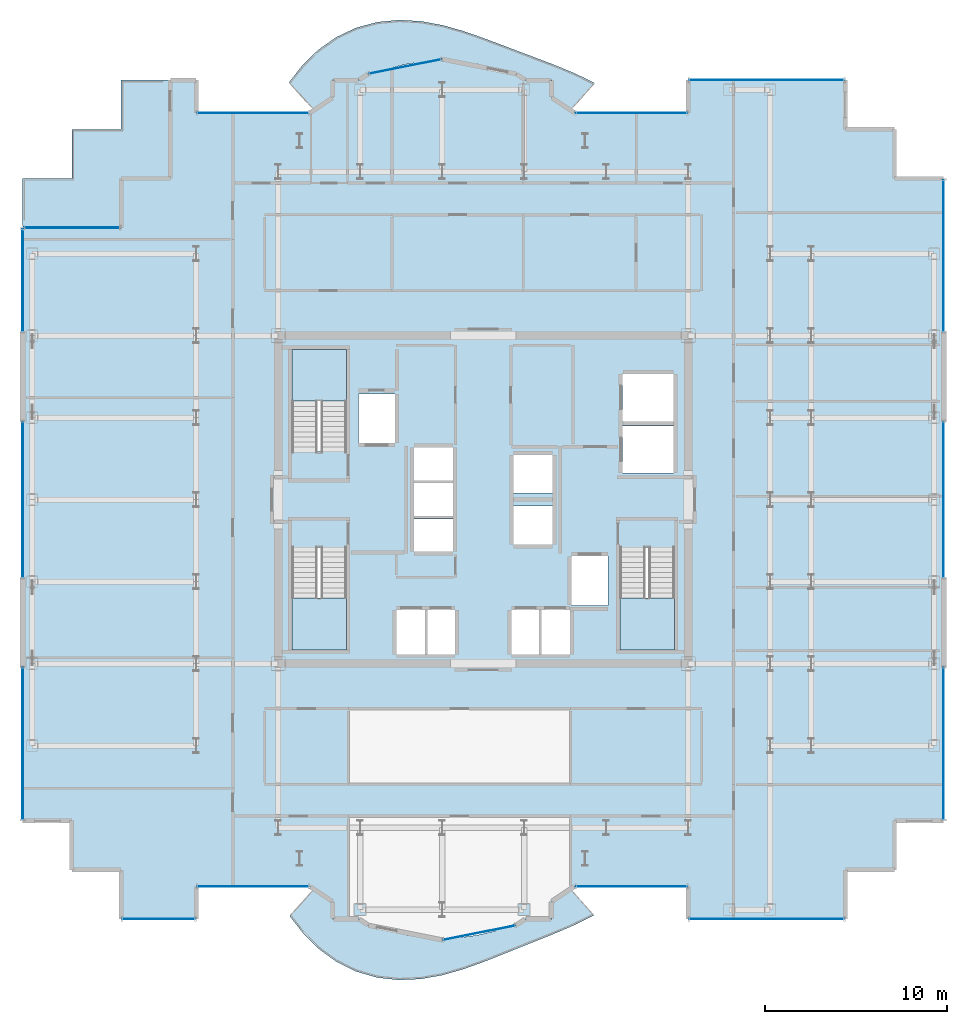
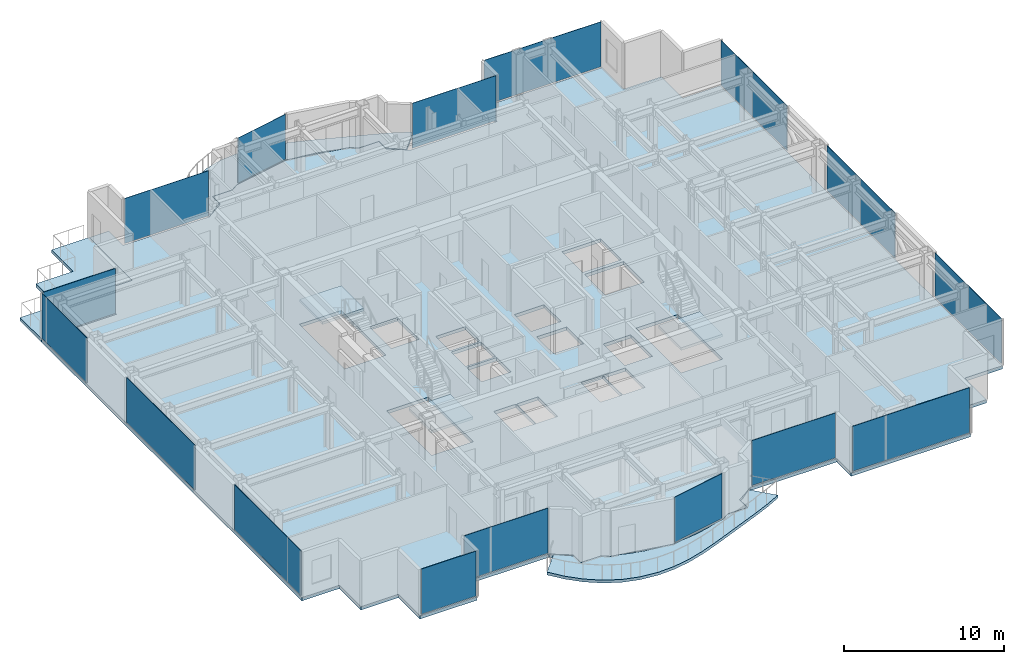
# One storey, part 14 of 22: 16 plates, 7 slabs, 19 elements without a shape of their own.
"""IFC4 building model written with IfcOpenShell, lengths in metres."""

from ifc_helpers import new_model, si_unit, direction, frame, origin, origin_2d, place, context, subcontext, project, spatial, polyline, rectangle, outline, extrude, source, transform, mapped, material, layer, layer_set, type_object, element, aggregate, save


model = new_model("IFC4")

# Units and contexts
model_context = context("Model", 3, precision=1e-05, world=origin(), true_north=direction((0.0, 1.0)))
body_context = subcontext(model_context, "Body", "Model", "MODEL_VIEW")
ifc_project = project(units=[si_unit("LENGTHUNIT", "METRE"), si_unit("AREAUNIT", "SQUARE_METRE"), si_unit("VOLUMEUNIT", "CUBIC_METRE"), si_unit("PLANEANGLEUNIT", "RADIAN"), si_unit("MASSUNIT", "GRAM", prefix="KILO")], contexts=[model_context])

# Site, building, storey
site_placement = place(None, origin())
site = spatial("IfcSite", under=ifc_project, at=site_placement, CompositionType="ELEMENT")
building_placement = place(site_placement, origin())
building = spatial("IfcBuilding", under=site, at=building_placement, Name="Nefas-Gora Pilgrimage Tower", CompositionType="ELEMENT")
storey_placement = place(building_placement, frame((0.0, 0.0, 240.800048828125)))
storey = spatial("IfcBuildingStorey", under=building, at=storey_placement, Name="L60", CompositionType="ELEMENT", Elevation=240.800048828125)

# Slabs
ifc_material_1 = material(Name="Concrete C40/50", Category="concrete")
ifc_layer_1 = layer(ifc_material_1, 0.219970703125)
ifc_layer_set_1 = layer_set([ifc_layer_1], Name="Concrete C40/50")
slab_type_1 = type_object("IfcSlabType", Name="SLB-BAL-P0", PredefinedType="FLOOR", material=ifc_layer_set_1)
slab_1_placement = place(storey_placement, frame((0.0, 0.0, -0.219970703125)))
element("IfcSlab", 1, at=slab_1_placement, inside=storey, type_object=slab_type_1, Name="L60 Sinusoidal Lobe Balcony Slab S (Phase 0)", PredefinedType="FLOOR", context=body_context, shape_type="SweptSolid", body=[
    extrude(outline(polyline([(4.78759765625, -21.385986328125), (4.724609375, -21.427978515625), (4.038330078125, -21.9912109375), (3.760009765625, -22.179931640625), (3.760009765625, -23.02001953125), (3.760009765625, -23.02099609375), (3.759765625, -23.02197265625), (3.759521484375, -23.02294921875), (3.75927734375, -23.023681640625), (3.7587890625, -23.024658203125), (3.75830078125, -23.025634765625), (3.7578125, -23.0263671875), (3.757080078125, -23.027099609375), (3.75634765625, -23.027587890625), (3.755615234375, -23.0283203125), (3.754638671875, -23.02880859375), (3.75390625, -23.029296875), (3.7529296875, -23.029541015625), (3.751953125, -23.02978515625), (3.7509765625, -23.030029296875), (3.75, -23.030029296875), (2.3271484375, -23.030029296875), (1.81298828125, -23.37353515625), (1.81201171875, -23.3740234375), (1.811279296875, -23.37451171875), (1.810302734375, -23.375), (1.809326171875, -23.375), (1.13037109375, -23.51025390625), (0.602783203125, -23.685302734375), (-0.334716796875, -23.904052734375), (-1.288330078125, -24.035888671875), (-1.580078125, -24.04931640625), (-2.248046875, -24.18212890625), (-2.2490234375, -24.182373046875), (-2.25, -24.182373046875), (-2.2509765625, -24.182373046875), (-2.251953125, -24.18212890625), (-2.919921875, -24.04931640625), (-3.211669921875, -24.035888671875), (-4.165283203125, -23.904052734375), (-5.102783203125, -23.685302734375), (-5.63037109375, -23.51025390625), (-6.309326171875, -23.375), (-6.310302734375, -23.375), (-6.311279296875, -23.37451171875), (-6.31201171875, -23.3740234375), (-6.31298828125, -23.37353515625), (-6.8271484375, -23.030029296875), (-8.25, -23.030029296875), (-8.2509765625, -23.030029296875), (-8.251953125, -23.02978515625), (-8.2529296875, -23.029541015625), (-8.25390625, -23.029296875), (-8.254638671875, -23.02880859375), (-8.255615234375, -23.0283203125), (-8.25634765625, -23.027587890625), (-8.257080078125, -23.027099609375), (-8.2578125, -23.0263671875), (-8.25830078125, -23.025634765625), (-8.2587890625, -23.024658203125), (-8.25927734375, -23.023681640625), (-8.259521484375, -23.02294921875), (-8.259765625, -23.02197265625), (-8.260009765625, -23.02099609375), (-8.260009765625, -23.02001953125), (-8.260009765625, -22.179931640625), (-8.538330078125, -21.9912109375), (-9.224609375, -21.427978515625), (-9.28759765625, -21.385986328125), (-10.614013671875, -22.859375), (-9.88720703125, -23.797607421875), (-9.037109375, -24.6455078125), (-8.062744140625, -25.357177734375), (-6.98046875, -25.89306640625), (-5.8203125, -26.2294921875), (-4.620849609375, -26.3623046875), (-3.42041015625, -26.3076171875), (-2.25, -26.09912109375), (-1.1279296875, -25.78125), (-0.0576171875, -25.39990234375), (0.971923828125, -24.993896484375), (1.979248046875, -24.58740234375), (2.985107421875, -24.18603515625), (4.00439453125, -23.7763671875), (5.039306640625, -23.331298828125), (6.0751953125, -22.816162109375), (4.78759765625, -21.385986328125)])), origin(), (0.0, 0.0, 1.0), 0.219970703125),
])
ifc_layer_2 = layer(ifc_material_1, 0.22509765625)
ifc_layer_set_2 = layer_set([ifc_layer_2], Name="Concrete C40/50")
slab_type_2 = type_object("IfcSlabType", Name="SLB-BAL-P4", PredefinedType="FLOOR", material=ifc_layer_set_2)
slab_2_placement = place(storey_placement, frame((0.0, 0.0, -0.22509765625)))
element("IfcSlab", 2, at=slab_2_placement, inside=storey, type_object=slab_type_2, Name="L60 Sinusoidal Lobe Balcony Slab N (Phase 4)", PredefinedType="FLOOR", context=body_context, shape_type="SweptSolid", body=[
    extrude(outline(polyline([(-9.28759765625, 21.385986328125), (-9.224609375, 21.427978515625), (-8.538330078125, 21.9912109375), (-8.260009765625, 22.179931640625), (-8.260009765625, 23.02001953125), (-8.260009765625, 23.02099609375), (-8.259765625, 23.02197265625), (-8.259521484375, 23.02294921875), (-8.25927734375, 23.023681640625), (-8.2587890625, 23.024658203125), (-8.25830078125, 23.025634765625), (-8.2578125, 23.0263671875), (-8.257080078125, 23.027099609375), (-8.25634765625, 23.027587890625), (-8.255615234375, 23.0283203125), (-8.254638671875, 23.02880859375), (-8.25390625, 23.029296875), (-8.2529296875, 23.029541015625), (-8.251953125, 23.02978515625), (-8.2509765625, 23.030029296875), (-8.25, 23.030029296875), (-6.8271484375, 23.030029296875), (-6.31298828125, 23.37353515625), (-6.31201171875, 23.3740234375), (-6.311279296875, 23.37451171875), (-6.310302734375, 23.375), (-6.309326171875, 23.375), (-5.63037109375, 23.51025390625), (-5.102783203125, 23.685302734375), (-4.165283203125, 23.904052734375), (-3.211669921875, 24.035888671875), (-2.919921875, 24.04931640625), (-2.251953125, 24.18212890625), (-2.2509765625, 24.182373046875), (-2.25, 24.182373046875), (-2.2490234375, 24.182373046875), (-2.248046875, 24.18212890625), (-1.580078125, 24.04931640625), (-1.288330078125, 24.035888671875), (-0.334716796875, 23.904052734375), (0.602783203125, 23.685302734375), (1.13037109375, 23.51025390625), (1.809326171875, 23.375), (1.810302734375, 23.375), (1.811279296875, 23.37451171875), (1.81201171875, 23.3740234375), (1.81298828125, 23.37353515625), (2.3271484375, 23.030029296875), (3.75, 23.030029296875), (3.7509765625, 23.030029296875), (3.751953125, 23.02978515625), (3.7529296875, 23.029541015625), (3.75390625, 23.029296875), (3.754638671875, 23.02880859375), (3.755615234375, 23.0283203125), (3.75634765625, 23.027587890625), (3.757080078125, 23.027099609375), (3.7578125, 23.0263671875), (3.75830078125, 23.025634765625), (3.7587890625, 23.024658203125), (3.75927734375, 23.023681640625), (3.759521484375, 23.02294921875), (3.759765625, 23.02197265625), (3.760009765625, 23.02099609375), (3.760009765625, 23.02001953125), (3.760009765625, 22.179931640625), (4.038330078125, 21.9912109375), (4.724609375, 21.427978515625), (4.78759765625, 21.385986328125), (6.114013671875, 22.859375), (5.07080078125, 23.373779296875), (4.025390625, 23.810302734375), (2.994384765625, 24.20458984375), (1.978759765625, 24.58642578125), (0.965576171875, 24.9716796875), (-0.06494140625, 25.359130859375), (-1.1328125, 25.7275390625), (-2.25, 26.041015625), (-3.41552734375, 26.25390625), (-4.61328125, 26.321533203125), (-5.814208984375, 26.20751953125), (-6.97998046875, 25.89208984375), (-8.072021484375, 25.375732421875), (-9.05810546875, 24.6796875), (-9.9189453125, 23.840087890625), (-10.653076171875, 22.902587890625), (-9.28759765625, 21.385986328125)])), origin(), (0.0, 0.0, 1.0), 0.22509765625),
])
ifc_layer_3 = layer(ifc_material_1, 0.239990234375)
ifc_layer_set_3 = layer_set([ifc_layer_3], Name="Concrete C40/50")
slab_type_3 = type_object("IfcSlabType", Name="SLB-TER-SP-NW", PredefinedType="FLOOR", material=ifc_layer_set_3)
slab_3_placement = place(storey_placement, frame((0.0, 0.0, -0.239990234375)))
element("IfcSlab", 3, at=slab_3_placement, inside=storey, type_object=slab_type_3, Name="L60 Outdoor Sky Terrace Slab TER-SP-NW", PredefinedType="FLOOR", context=body_context, shape_type="SweptSolid", body=[
    extrude(outline(polyline([(-25.27001953125, 14.919921875), (-19.8701171875, 14.919921875), (-19.8701171875, 17.6201171875), (-17.169921875, 17.6201171875), (-17.169921875, 23.02001953125), (-19.8701171875, 23.02001953125), (-19.8701171875, 20.320068359375), (-22.570068359375, 20.320068359375), (-22.570068359375, 17.6201171875), (-25.27001953125, 17.6201171875), (-25.27001953125, 14.919921875)])), origin(), (0.0, 0.0, 1.0), 0.239990234375),
])
ifc_layer_4 = layer(ifc_material_1, 0.25)
ifc_layer_set_4 = layer_set([ifc_layer_4], Name="Concrete C40/50")
slab_type_4 = type_object("IfcSlabType", Name="SLB-TWR-260", PredefinedType="FLOOR", material=ifc_layer_set_4)
slab_4_placement = place(storey_placement, frame((0.0, 0.0, -0.25)))
element("IfcSlab", 4, at=slab_4_placement, inside=storey, type_object=slab_type_4, Name="L60 Structural Floor Slab", PredefinedType="FLOOR", context=body_context, shape_type="SweptSolid", body=[
    extrude(outline(polyline([(5.01806640625, -21.219970703125), (11.25, -21.219970703125), (11.25, -23.02001953125), (19.8701171875, -23.02001953125), (19.8701171875, -20.320068359375), (22.570068359375, -20.320068359375), (22.570068359375, -17.6201171875), (25.27001953125, -17.6201171875), (25.27001953125, 17.6201171875), (22.570068359375, 17.6201171875), (22.570068359375, 20.320068359375), (19.8701171875, 20.320068359375), (19.8701171875, 23.02001953125), (11.25, 23.02001953125), (11.25, 21.219970703125), (5.01806640625, 21.219970703125), (3.75, 22.0673828125), (3.75, 23.02001953125), (2.32421875, 23.02001953125), (1.807373046875, 23.365234375), (-2.25, 24.17236328125), (-6.307373046875, 23.365234375), (-6.82421875, 23.02001953125), (-8.25, 23.02001953125), (-8.25, 22.0673828125), (-9.51806640625, 21.219970703125), (-15.75, 21.219970703125), (-15.75, 23.02001953125), (-17.169921875, 23.02001953125), (-17.169921875, 17.6201171875), (-19.8701171875, 17.6201171875), (-19.8701171875, 14.919921875), (-25.27001953125, 14.919921875), (-25.27001953125, -17.6201171875), (-22.570068359375, -17.6201171875), (-22.570068359375, -20.320068359375), (-19.8701171875, -20.320068359375), (-19.8701171875, -23.02001953125), (-15.75, -23.02001953125), (-15.75, -21.219970703125), (-9.51806640625, -21.219970703125), (-8.25, -22.0673828125), (-8.25, -23.02001953125), (-6.82421875, -23.02001953125), (-6.307373046875, -23.365234375), (-2.25, -24.17236328125), (1.807373046875, -23.365234375), (2.32421875, -23.02001953125), (3.75, -23.02001953125), (3.75, -22.0673828125), (5.01806640625, -21.219970703125)]), holes=[polyline([(-10.5, 2.639892578125), (-10.5, 8.25), (-7.5, 8.25), (-7.5, 2.639892578125), (-10.5, 2.639892578125)]), polyline([(10.5, -2.639892578125), (10.5, -8.25), (7.5, -8.25), (7.5, -2.639892578125), (10.5, -2.639892578125)]), polyline([(-7.5, -2.639892578125), (-7.5, -8.25), (-10.5, -8.25), (-10.5, -2.639892578125), (-7.5, -2.639892578125)]), polyline([(-6.85009765625, 5.800048828125), (-4.85009765625, 5.800048828125), (-4.85009765625, 3.10009765625), (-6.85009765625, 3.10009765625), (-6.85009765625, 5.800048828125)]), polyline([(4.85009765625, -3.10009765625), (6.85009765625, -3.10009765625), (6.85009765625, -5.800048828125), (4.85009765625, -5.800048828125), (4.85009765625, -3.10009765625)]), polyline([(7.64990234375, 4.050048828125), (10.449951171875, 4.050048828125), (10.449951171875, 1.449951171875), (7.64990234375, 1.449951171875), (7.64990234375, 4.050048828125)]), polyline([(7.64990234375, 6.89990234375), (10.449951171875, 6.89990234375), (10.449951171875, 4.300048828125), (7.64990234375, 4.300048828125), (7.64990234375, 6.89990234375)]), polyline([(-4.75, -6.050048828125), (-3.14990234375, -6.050048828125), (-3.14990234375, -8.5), (-4.75, -8.5), (-4.75, -6.050048828125)]), polyline([(-3.10009765625, -6.050048828125), (-1.550048828125, -6.050048828125), (-1.550048828125, -8.5), (-3.10009765625, -8.5), (-3.10009765625, -6.050048828125)]), polyline([(1.550048828125, -6.050048828125), (3.10009765625, -6.050048828125), (3.10009765625, -8.5), (1.550048828125, -8.5), (1.550048828125, -6.050048828125)]), polyline([(3.14990234375, -6.050048828125), (4.75, -6.050048828125), (4.75, -8.5), (3.14990234375, -8.5), (3.14990234375, -6.050048828125)]), polyline([(-3.800048828125, -1.050048828125), (-1.64990234375, -1.050048828125), (-1.64990234375, -2.85009765625), (-3.800048828125, -2.85009765625), (-3.800048828125, -1.050048828125)]), polyline([(-3.800048828125, 0.89990234375), (-1.64990234375, 0.89990234375), (-1.64990234375, -0.89990234375), (-3.800048828125, -0.89990234375), (-3.800048828125, 0.89990234375)]), polyline([(-3.800048828125, 2.85009765625), (-1.64990234375, 2.85009765625), (-1.64990234375, 1.050048828125), (-3.800048828125, 1.050048828125), (-3.800048828125, 2.85009765625)]), polyline([(1.64990234375, -0.35009765625), (3.800048828125, -0.35009765625), (3.800048828125, -2.449951171875), (1.64990234375, -2.449951171875), (1.64990234375, -0.35009765625)]), polyline([(1.64990234375, 2.449951171875), (3.800048828125, 2.449951171875), (3.800048828125, 0.35009765625), (1.64990234375, 0.35009765625), (1.64990234375, 2.449951171875)])]), origin(), (0.0, 0.0, 1.0), 0.25),
])

# Stair, slab
ifc_material_2 = material(Name="Concrete C45/55", Category="concrete")
stair_type = type_object("IfcStairType", Name="STR-1400-R1727", PredefinedType="HALF_TURN_STAIR", material=ifc_material_2)
stair_1_placement = place(storey_placement, origin())
stair_1 = element("IfcStair", 5, at=stair_1_placement, inside=storey, type_object=stair_type, Name="L60 Pressurised Tower Exit Stair ST-01", PredefinedType="HALF_TURN_STAIR")
ifc_layer_5 = layer(ifc_material_1, 0.199951171875)
ifc_layer_set_5 = layer_set([ifc_layer_5], Name="Concrete C40/50")
slab_type_5 = type_object("IfcSlabType", Name="STR-LAND-200", PredefinedType="LANDING", material=ifc_layer_set_5)
slab_5_placement = place(storey_placement, frame((0.0, 0.0, 1.699951171875)))
slab_5 = element("IfcSlab", 6, at=slab_5_placement, type_object=slab_type_5, Name="ST-01 landing 1", PredefinedType="LANDING", context=body_context, shape_type="SweptSolid", body=[
    extrude(outline(polyline([(-7.5, 5.39990234375), (-7.5, 8.25), (-10.5, 8.25), (-10.5, 5.39990234375), (-7.5, 5.39990234375)])), origin(), (0.0, 0.0, 1.0), 0.199951171875),
])
aggregate(stair_1, [slab_5])

stair_2_placement = place(storey_placement, origin())
stair_2 = element("IfcStair", 7, at=stair_2_placement, inside=storey, type_object=stair_type, Name="L60 Pressurised Tower Exit Stair ST-02", PredefinedType="HALF_TURN_STAIR")
slab_6_placement = place(storey_placement, frame((0.0, 0.0, 1.699951171875)))
slab_6 = element("IfcSlab", 8, at=slab_6_placement, type_object=slab_type_5, Name="ST-02 landing 1", PredefinedType="LANDING", context=body_context, shape_type="SweptSolid", body=[
    extrude(outline(polyline([(7.5, -5.39990234375), (7.5, -8.25), (10.5, -8.25), (10.5, -5.39990234375), (7.5, -5.39990234375)])), origin(), (0.0, 0.0, 1.0), 0.199951171875),
])
aggregate(stair_2, [slab_6])

stair_3_placement = place(storey_placement, origin())
stair_3 = element("IfcStair", 9, at=stair_3_placement, inside=storey, type_object=stair_type, Name="L60 Pressurised Tower Exit Stair ST-03", PredefinedType="HALF_TURN_STAIR")
slab_7_placement = place(storey_placement, frame((0.0, 0.0, 1.699951171875)))
slab_7 = element("IfcSlab", 10, at=slab_7_placement, type_object=slab_type_5, Name="ST-03 landing 1", PredefinedType="LANDING", context=body_context, shape_type="SweptSolid", body=[
    extrude(outline(polyline([(-10.5, -5.39990234375), (-10.5, -8.25), (-7.5, -8.25), (-7.5, -5.39990234375), (-10.5, -5.39990234375)])), origin(), (0.0, 0.0, 1.0), 0.199951171875),
])
aggregate(stair_3, [slab_7])

# Curtain wall, plate
ifc_material_3 = material(Name="Dark ceramic-fritted solar-control aluminium-glass curtain wall", Category="aluminium")
ifc_layer_6 = layer(ifc_material_3, 0.219970703125)
ifc_layer_set_6 = layer_set([ifc_layer_6], Name="Dark ceramic-fritted solar-control aluminium-glass curtain wall")
curtain_wall_type_1 = type_object("IfcCurtainWallType", Name="CW-SYS-5", PredefinedType="NOTDEFINED", material=ifc_layer_set_6)
curtain_wall_1_placement = place(storey_placement, origin())
curtain_wall_1 = element("IfcCurtainWall", 11, at=curtain_wall_1_placement, inside=storey, type_object=curtain_wall_type_1, Name="L60 Unitised Curtain Wall CW5", PredefinedType="NOTDEFINED")
ifc_material_4 = material(Name="Dark ceramic-printed low-e insulated glass", Category="glass")
ifc_layer_7 = layer(ifc_material_4, 0.028076171875)
ifc_layer_set_7 = layer_set([ifc_layer_7], Name="Dark ceramic-printed low-e insulated glass")
plate_type_1 = type_object("IfcPlateType", Name="CWP-PNL-5", PredefinedType="CURTAIN_PANEL", material=ifc_layer_set_7)
shared_shape_1 = source(origin(), body_context, "Body", "SweptSolid", [
    extrude(rectangle(XDim=6.052001953125, YDim=0.028076171875, at=origin_2d()), origin(), (0.0, 0.0, 1.0), 3.43994140625),
])
plate_1_placement = place(storey_placement, frame((8.134033203125, -21.219970703125, 0.10009765625), z_axis=(0.0, 0.0, 1.0), x_axis=(1.0, 0.0, 0.0)))
plate_1 = element("IfcPlate", 12, at=plate_1_placement, type_object=plate_type_1, Name="CW5 Ceramic-Fritted Glazing Panel 1", PredefinedType="CURTAIN_PANEL", context=body_context, shape_type="MappedRepresentation", body=[
    mapped(shared_shape_1, transform((0.0, 0.0, 0.0), x_axis=(1.0, 0.0, 0.0), y_axis=(0.0, 1.0, 0.0), z_axis=(0.0, 0.0, 1.0), scale=1.0)),
])
aggregate(curtain_wall_1, [plate_1])

curtain_wall_2_placement = place(storey_placement, origin())
curtain_wall_2 = element("IfcCurtainWall", 13, at=curtain_wall_2_placement, inside=storey, type_object=curtain_wall_type_1, Name="L60 Unitised Curtain Wall CW5", PredefinedType="NOTDEFINED")
plate_2_placement = place(storey_placement, frame((8.134033203125, 21.219970703125, 0.10009765625), z_axis=(0.0, 0.0, 1.0), x_axis=(-1.0, 0.0, 0.0)))
plate_2 = element("IfcPlate", 14, at=plate_2_placement, type_object=plate_type_1, Name="CW5 Ceramic-Fritted Glazing Panel 1", PredefinedType="CURTAIN_PANEL", context=body_context, shape_type="MappedRepresentation", body=[
    mapped(shared_shape_1, transform((0.0, 0.0, 0.0), x_axis=(1.0, 0.0, 0.0), y_axis=(0.0, 1.0, 0.0), z_axis=(0.0, 0.0, 1.0), scale=1.0)),
])
aggregate(curtain_wall_2, [plate_2])

curtain_wall_3_placement = place(storey_placement, origin())
curtain_wall_3 = element("IfcCurtainWall", 15, at=curtain_wall_3_placement, inside=storey, type_object=curtain_wall_type_1, Name="L60 Unitised Curtain Wall CW5", PredefinedType="NOTDEFINED")
plate_3_placement = place(storey_placement, frame((-12.634033203125, 21.219970703125, 0.10009765625), z_axis=(0.0, 0.0, 1.0), x_axis=(-1.0, 0.0, 0.0)))
plate_3 = element("IfcPlate", 16, at=plate_3_placement, type_object=plate_type_1, Name="CW5 Ceramic-Fritted Glazing Panel 1", PredefinedType="CURTAIN_PANEL", context=body_context, shape_type="MappedRepresentation", body=[
    mapped(shared_shape_1, transform((0.0, 0.0, 0.0), x_axis=(1.0, 0.0, 0.0), y_axis=(0.0, 1.0, 0.0), z_axis=(0.0, 0.0, 1.0), scale=1.0)),
])
aggregate(curtain_wall_3, [plate_3])

curtain_wall_4_placement = place(storey_placement, origin())
curtain_wall_4 = element("IfcCurtainWall", 17, at=curtain_wall_4_placement, inside=storey, type_object=curtain_wall_type_1, Name="L60 Unitised Curtain Wall CW5", PredefinedType="NOTDEFINED")
plate_4_placement = place(storey_placement, frame((-12.634033203125, -21.219970703125, 0.10009765625), z_axis=(0.0, 0.0, 1.0), x_axis=(1.0, 0.0, 0.0)))
plate_4 = element("IfcPlate", 18, at=plate_4_placement, type_object=plate_type_1, Name="CW5 Ceramic-Fritted Glazing Panel 1", PredefinedType="CURTAIN_PANEL", context=body_context, shape_type="MappedRepresentation", body=[
    mapped(shared_shape_1, transform((0.0, 0.0, 0.0), x_axis=(1.0, 0.0, 0.0), y_axis=(0.0, 1.0, 0.0), z_axis=(0.0, 0.0, 1.0), scale=1.0)),
])
aggregate(curtain_wall_4, [plate_4])

curtain_wall_5_placement = place(storey_placement, origin())
curtain_wall_5 = element("IfcCurtainWall", 19, at=curtain_wall_5_placement, inside=storey, type_object=curtain_wall_type_1, Name="L60 Unitised Curtain Wall CW5", PredefinedType="NOTDEFINED")
shared_shape_2 = source(origin(), body_context, "Body", "SweptSolid", [
    extrude(rectangle(XDim=3.956787109375, YDim=0.028076171875, at=origin_2d()), origin(), (0.0, 0.0, 1.0), 3.43994140625),
])
plate_5_placement = place(storey_placement, frame((-4.278564453125, 23.768798828125, 0.10009765625), z_axis=(0.0, 0.0, 1.0), x_axis=(-0.980782896852, -0.195102304554, 0.0)))
plate_5 = element("IfcPlate", 20, at=plate_5_placement, type_object=plate_type_1, Name="CW5 Ceramic-Fritted Glazing Panel 1", PredefinedType="CURTAIN_PANEL", context=body_context, shape_type="MappedRepresentation", body=[
    mapped(shared_shape_2, transform((0.0, 0.0, 0.0), x_axis=(1.0, 0.0, 0.0), y_axis=(0.0, 1.0, 0.0), z_axis=(0.0, 0.0, 1.0), scale=1.0)),
])
aggregate(curtain_wall_5, [plate_5])

curtain_wall_6_placement = place(storey_placement, origin())
curtain_wall_6 = element("IfcCurtainWall", 21, at=curtain_wall_6_placement, inside=storey, type_object=curtain_wall_type_1, Name="L60 Unitised Curtain Wall CW5", PredefinedType="NOTDEFINED")
plate_6_placement = place(storey_placement, frame((-0.221435546875, -23.768798828125, 0.10009765625), z_axis=(0.0, 0.0, 1.0), x_axis=(0.980782896852, 0.195102304554, 0.0)))
plate_6 = element("IfcPlate", 22, at=plate_6_placement, type_object=plate_type_1, Name="CW5 Ceramic-Fritted Glazing Panel 1", PredefinedType="CURTAIN_PANEL", context=body_context, shape_type="MappedRepresentation", body=[
    mapped(shared_shape_2, transform((0.0, 0.0, 0.0), x_axis=(1.0, 0.0, 0.0), y_axis=(0.0, 1.0, 0.0), z_axis=(0.0, 0.0, 1.0), scale=1.0)),
])
aggregate(curtain_wall_6, [plate_6])

ifc_layer_8 = layer(ifc_material_3, 0.219970703125)
ifc_layer_set_8 = layer_set([ifc_layer_8], Name="Dark ceramic-fritted solar-control aluminium-glass curtain wall")
curtain_wall_type_2 = type_object("IfcCurtainWallType", Name="CW-SYS-3", PredefinedType="NOTDEFINED", material=ifc_layer_set_8)
curtain_wall_7_placement = place(storey_placement, origin())
curtain_wall_7 = element("IfcCurtainWall", 23, at=curtain_wall_7_placement, inside=storey, type_object=curtain_wall_type_2, Name="L60 Unitised Curtain Wall CW3", PredefinedType="NOTDEFINED")
ifc_layer_9 = layer(ifc_material_4, 0.033935546875)
ifc_layer_set_9 = layer_set([ifc_layer_9], Name="Dark ceramic-printed low-e insulated glass")
plate_type_2 = type_object("IfcPlateType", Name="CWP-PNL-3", PredefinedType="CURTAIN_PANEL", material=ifc_layer_set_9)
shared_shape_3 = source(origin(), body_context, "Body", "SweptSolid", [
    extrude(rectangle(XDim=8.43994140625, YDim=0.033935546875, at=origin_2d()), origin(), (0.0, 0.0, 1.0), 3.43994140625),
])
plate_7_placement = place(storey_placement, frame((15.56005859375, -23.02001953125, 0.10009765625), z_axis=(0.0, 0.0, 1.0), x_axis=(1.0, 0.0, 0.0)))
plate_7 = element("IfcPlate", 24, at=plate_7_placement, type_object=plate_type_2, Name="CW3 Ceramic-Fritted Glazing Panel 1", PredefinedType="CURTAIN_PANEL", context=body_context, shape_type="MappedRepresentation", body=[
    mapped(shared_shape_3, transform((0.0, 0.0, 0.0), x_axis=(1.0, 0.0, 0.0), y_axis=(0.0, 1.0, 0.0), z_axis=(0.0, 0.0, 1.0), scale=1.0)),
])
aggregate(curtain_wall_7, [plate_7])

curtain_wall_8_placement = place(storey_placement, origin())
curtain_wall_8 = element("IfcCurtainWall", 25, at=curtain_wall_8_placement, inside=storey, type_object=curtain_wall_type_2, Name="L60 Unitised Curtain Wall CW3", PredefinedType="NOTDEFINED")
plate_8_placement = place(storey_placement, frame((15.56005859375, 23.02001953125, 0.10009765625), z_axis=(0.0, 0.0, 1.0), x_axis=(-1.0, 0.0, 0.0)))
plate_8 = element("IfcPlate", 26, at=plate_8_placement, type_object=plate_type_2, Name="CW3 Ceramic-Fritted Glazing Panel 1", PredefinedType="CURTAIN_PANEL", context=body_context, shape_type="MappedRepresentation", body=[
    mapped(shared_shape_3, transform((0.0, 0.0, 0.0), x_axis=(1.0, 0.0, 0.0), y_axis=(0.0, 1.0, 0.0), z_axis=(0.0, 0.0, 1.0), scale=1.0)),
])
aggregate(curtain_wall_8, [plate_8])

curtain_wall_9_placement = place(storey_placement, origin())
curtain_wall_9 = element("IfcCurtainWall", 27, at=curtain_wall_9_placement, inside=storey, type_object=curtain_wall_type_2, Name="L60 Unitised Curtain Wall CW3", PredefinedType="NOTDEFINED")
shared_shape_4 = source(origin(), body_context, "Body", "SweptSolid", [
    extrude(rectangle(XDim=8.2900390625, YDim=0.033935546875, at=origin_2d()), origin(), (0.0, 0.0, 1.0), 3.43994140625),
])
plate_9_placement = place(storey_placement, frame((25.27001953125, -13.385009765625, 0.10009765625), z_axis=(0.0, 0.0, 1.0), x_axis=(0.0, 1.0, 0.0)))
plate_9 = element("IfcPlate", 28, at=plate_9_placement, type_object=plate_type_2, Name="CW3 Ceramic-Fritted Glazing Panel 1", PredefinedType="CURTAIN_PANEL", context=body_context, shape_type="MappedRepresentation", body=[
    mapped(shared_shape_4, transform((0.0, 0.0, 0.0), x_axis=(1.0, 0.0, 0.0), y_axis=(0.0, 1.0, 0.0), z_axis=(0.0, 0.0, 1.0), scale=1.0)),
])
aggregate(curtain_wall_9, [plate_9])

curtain_wall_10_placement = place(storey_placement, origin())
curtain_wall_10 = element("IfcCurtainWall", 29, at=curtain_wall_10_placement, inside=storey, type_object=curtain_wall_type_2, Name="L60 Unitised Curtain Wall CW3", PredefinedType="NOTDEFINED")
plate_10_placement = place(storey_placement, frame((25.27001953125, 13.385009765625, 0.10009765625), z_axis=(0.0, 0.0, 1.0), x_axis=(0.0, 1.0, 0.0)))
plate_10 = element("IfcPlate", 30, at=plate_10_placement, type_object=plate_type_2, Name="CW3 Ceramic-Fritted Glazing Panel 1", PredefinedType="CURTAIN_PANEL", context=body_context, shape_type="MappedRepresentation", body=[
    mapped(shared_shape_4, transform((0.0, 0.0, 0.0), x_axis=(1.0, 0.0, 0.0), y_axis=(0.0, 1.0, 0.0), z_axis=(0.0, 0.0, 1.0), scale=1.0)),
])
aggregate(curtain_wall_10, [plate_10])

curtain_wall_11_placement = place(storey_placement, origin())
curtain_wall_11 = element("IfcCurtainWall", 31, at=curtain_wall_11_placement, inside=storey, type_object=curtain_wall_type_2, Name="L60 Unitised Curtain Wall CW3", PredefinedType="NOTDEFINED")
plate_11_placement = place(storey_placement, frame((-25.27001953125, -13.385009765625, 0.10009765625), z_axis=(0.0, 0.0, 1.0), x_axis=(0.0, -1.0, 0.0)))
plate_11 = element("IfcPlate", 32, at=plate_11_placement, type_object=plate_type_2, Name="CW3 Ceramic-Fritted Glazing Panel 1", PredefinedType="CURTAIN_PANEL", context=body_context, shape_type="MappedRepresentation", body=[
    mapped(shared_shape_4, transform((0.0, 0.0, 0.0), x_axis=(1.0, 0.0, 0.0), y_axis=(0.0, 1.0, 0.0), z_axis=(0.0, 0.0, 1.0), scale=1.0)),
])
aggregate(curtain_wall_11, [plate_11])

curtain_wall_12_placement = place(storey_placement, origin())
curtain_wall_12 = element("IfcCurtainWall", 33, at=curtain_wall_12_placement, inside=storey, type_object=curtain_wall_type_2, Name="L60 Unitised Curtain Wall CW3", PredefinedType="NOTDEFINED")
shared_shape_5 = source(origin(), body_context, "Body", "SweptSolid", [
    extrude(rectangle(XDim=8.52001953125, YDim=0.033935546875, at=origin_2d()), origin(), (0.0, 0.0, 1.0), 3.43994140625),
])
plate_12_placement = place(storey_placement, frame((25.27001953125, 0.0, 0.10009765625), z_axis=(0.0, 0.0, 1.0), x_axis=(0.0, 1.0, 0.0)))
plate_12 = element("IfcPlate", 34, at=plate_12_placement, type_object=plate_type_2, Name="CW3 Ceramic-Fritted Glazing Panel 1", PredefinedType="CURTAIN_PANEL", context=body_context, shape_type="MappedRepresentation", body=[
    mapped(shared_shape_5, transform((0.0, 0.0, 0.0), x_axis=(1.0, 0.0, 0.0), y_axis=(0.0, 1.0, 0.0), z_axis=(0.0, 0.0, 1.0), scale=1.0)),
])
aggregate(curtain_wall_12, [plate_12])

curtain_wall_13_placement = place(storey_placement, origin())
curtain_wall_13 = element("IfcCurtainWall", 35, at=curtain_wall_13_placement, inside=storey, type_object=curtain_wall_type_2, Name="L60 Unitised Curtain Wall CW3", PredefinedType="NOTDEFINED")
plate_13_placement = place(storey_placement, frame((-25.27001953125, 0.0, 0.10009765625), z_axis=(0.0, 0.0, 1.0), x_axis=(0.0, -1.0, 0.0)))
plate_13 = element("IfcPlate", 36, at=plate_13_placement, type_object=plate_type_2, Name="CW3 Ceramic-Fritted Glazing Panel 1", PredefinedType="CURTAIN_PANEL", context=body_context, shape_type="MappedRepresentation", body=[
    mapped(shared_shape_5, transform((0.0, 0.0, 0.0), x_axis=(1.0, 0.0, 0.0), y_axis=(0.0, 1.0, 0.0), z_axis=(0.0, 0.0, 1.0), scale=1.0)),
])
aggregate(curtain_wall_13, [plate_13])

curtain_wall_14_placement = place(storey_placement, origin())
curtain_wall_14 = element("IfcCurtainWall", 37, at=curtain_wall_14_placement, inside=storey, type_object=curtain_wall_type_2, Name="L60 Unitised Curtain Wall CW3", PredefinedType="NOTDEFINED")
shared_shape_6 = source(origin(), body_context, "Body", "SweptSolid", [
    extrude(rectangle(XDim=5.219970703125, YDim=0.033935546875, at=origin_2d()), origin(), (0.0, 0.0, 1.0), 3.43994140625),
])
plate_14_placement = place(storey_placement, frame((-22.570068359375, 14.919921875, 0.10009765625), z_axis=(0.0, 0.0, 1.0), x_axis=(-1.0, 0.0, 0.0)))
plate_14 = element("IfcPlate", 38, at=plate_14_placement, type_object=plate_type_2, Name="CW3 Ceramic-Fritted Glazing Panel 1", PredefinedType="CURTAIN_PANEL", context=body_context, shape_type="MappedRepresentation", body=[
    mapped(shared_shape_6, transform((0.0, 0.0, 0.0), x_axis=(1.0, 0.0, 0.0), y_axis=(0.0, 1.0, 0.0), z_axis=(0.0, 0.0, 1.0), scale=1.0)),
])
aggregate(curtain_wall_14, [plate_14])

curtain_wall_15_placement = place(storey_placement, origin())
curtain_wall_15 = element("IfcCurtainWall", 39, at=curtain_wall_15_placement, inside=storey, type_object=curtain_wall_type_2, Name="L60 Unitised Curtain Wall CW3", PredefinedType="NOTDEFINED")
shared_shape_7 = source(origin(), body_context, "Body", "SweptSolid", [
    extrude(rectangle(XDim=5.590087890625, YDim=0.033935546875, at=origin_2d()), origin(), (0.0, 0.0, 1.0), 3.43994140625),
])
plate_15_placement = place(storey_placement, frame((-25.27001953125, 12.034912109375, 0.10009765625), z_axis=(0.0, 0.0, 1.0), x_axis=(0.0, -1.0, 0.0)))
plate_15 = element("IfcPlate", 40, at=plate_15_placement, type_object=plate_type_2, Name="CW3 Ceramic-Fritted Glazing Panel 1", PredefinedType="CURTAIN_PANEL", context=body_context, shape_type="MappedRepresentation", body=[
    mapped(shared_shape_7, transform((0.0, 0.0, 0.0), x_axis=(1.0, 0.0, 0.0), y_axis=(0.0, 1.0, 0.0), z_axis=(0.0, 0.0, 1.0), scale=1.0)),
])
aggregate(curtain_wall_15, [plate_15])

curtain_wall_16_placement = place(storey_placement, origin())
curtain_wall_16 = element("IfcCurtainWall", 41, at=curtain_wall_16_placement, inside=storey, type_object=curtain_wall_type_2, Name="L60 Unitised Curtain Wall CW3", PredefinedType="NOTDEFINED")
shared_shape_8 = source(origin(), body_context, "Body", "SweptSolid", [
    extrude(rectangle(XDim=3.93994140625, YDim=0.033935546875, at=origin_2d()), origin(), (0.0, 0.0, 1.0), 3.43994140625),
])
plate_16_placement = place(storey_placement, frame((-17.81005859375, -23.02001953125, 0.10009765625), z_axis=(0.0, 0.0, 1.0), x_axis=(1.0, 0.0, 0.0)))
plate_16 = element("IfcPlate", 42, at=plate_16_placement, type_object=plate_type_2, Name="CW3 Ceramic-Fritted Glazing Panel 1", PredefinedType="CURTAIN_PANEL", context=body_context, shape_type="MappedRepresentation", body=[
    mapped(shared_shape_8, transform((0.0, 0.0, 0.0), x_axis=(1.0, 0.0, 0.0), y_axis=(0.0, 1.0, 0.0), z_axis=(0.0, 0.0, 1.0), scale=1.0)),
])
aggregate(curtain_wall_16, [plate_16])

save(model, "model.ifc")
